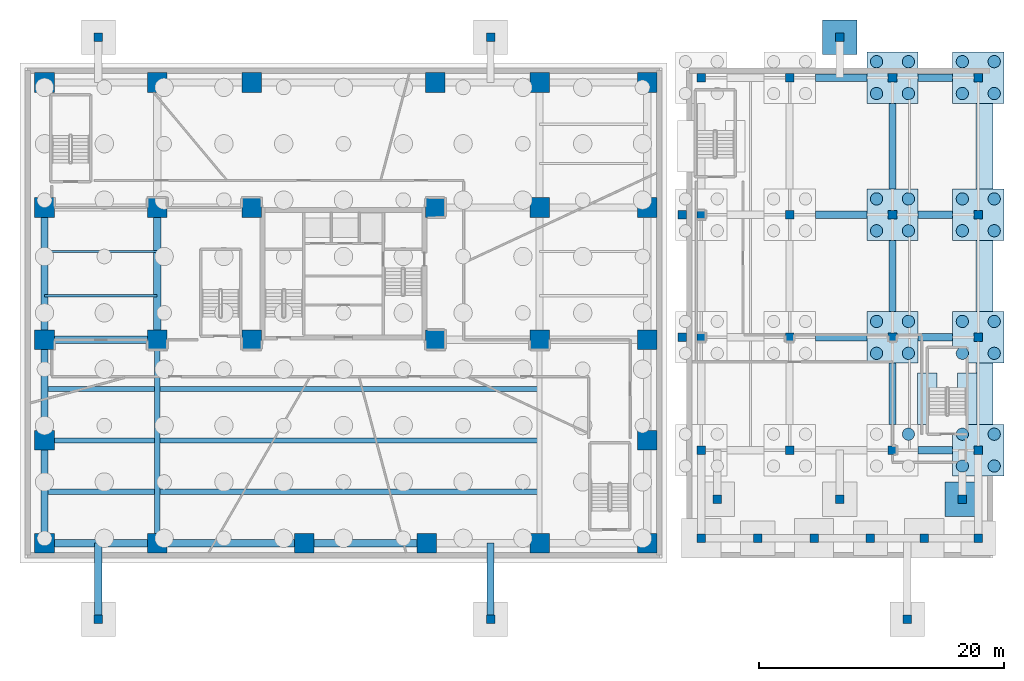
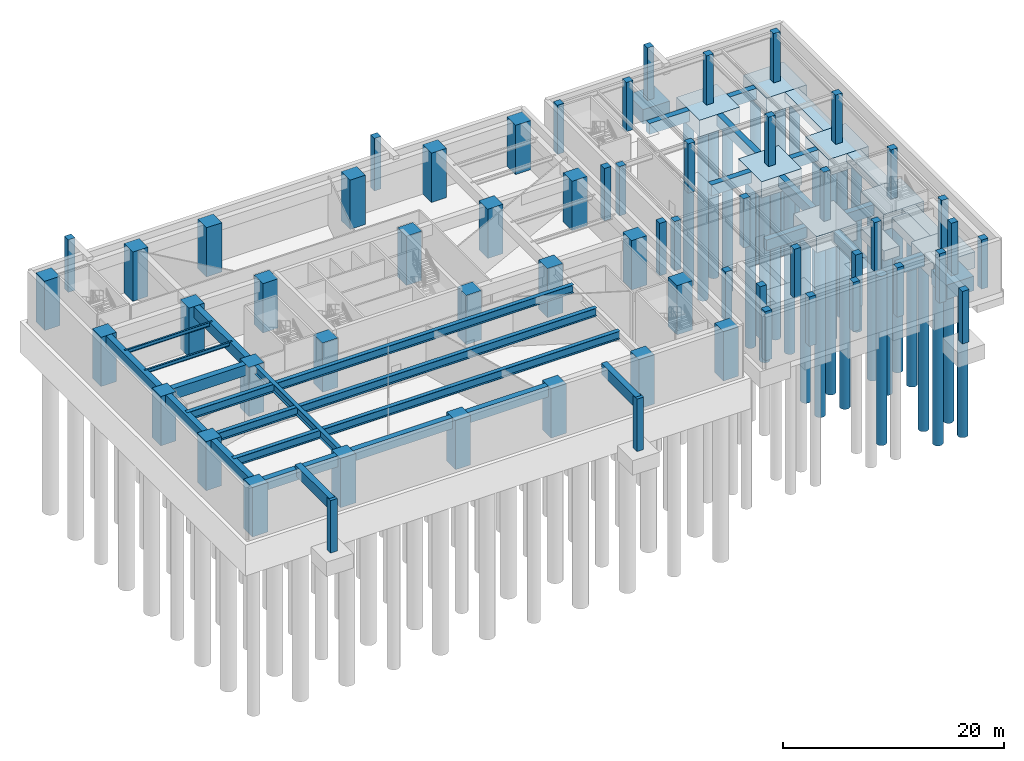
# One storey, part 2 of 15: 59 columns, 29 piles, 24 footings, 16 beams.
"""IFC4 building model written with IfcOpenShell, lengths in metres."""

from ifc_helpers import new_model, si_unit, direction, frame, origin, origin_2d, place, context, subcontext, project, spatial, rectangle, circle, i_section, extrude, source, transform, mapped, material, material_profile, profile_set, type_object, type_shapes, element, save


model = new_model("IFC4")

# Units and contexts
model_context = context("Model", 3, precision=1e-05, world=origin(), true_north=direction((0.0, 1.0)))
body_context = subcontext(model_context, "Body", "Model", "MODEL_VIEW")
ifc_project = project(units=[si_unit("LENGTHUNIT", "METRE"), si_unit("AREAUNIT", "SQUARE_METRE"), si_unit("VOLUMEUNIT", "CUBIC_METRE"), si_unit("PLANEANGLEUNIT", "RADIAN"), si_unit("MASSUNIT", "GRAM", prefix="KILO")], contexts=[model_context])

# Site, building, storey
site_placement = place(None, origin())
site = spatial("IfcSite", under=ifc_project, at=site_placement, CompositionType="ELEMENT")
building_placement = place(site_placement, origin())
building = spatial("IfcBuilding", under=site, at=building_placement, Name="Talar Marvaseh", CompositionType="ELEMENT")
storey_placement = place(building_placement, frame((0.0, 0.0, -11.60009765625)))
storey = spatial("IfcBuildingStorey", under=building, at=storey_placement, Name="B02", CompositionType="ELEMENT", Elevation=-11.60009765625)

# Footings
ifc_material_1 = material(Name="Concrete C50/60", Category="concrete")
footing_type_1 = type_object("IfcFootingType", Name="Market Hall Four-Pile Cap 1800", PredefinedType="PILE_CAP", material=ifc_material_1)
shared_shape_1 = source(origin(), body_context, "Body", "SweptSolid", [
    extrude(rectangle(XDim=4.199951171875, YDim=4.199951171875, at=origin_2d()), origin(), (0.0, 0.0, 1.0), 1.800048828125),
])
type_shapes(footing_type_1, [shared_shape_1])
for number, where, z_axis, x_axis, name in (
    (1, (70.800048828125, 26.0, -1.7998046875), (0.0, 0.0, 1.0), (1.0, 0.0, 0.0), "B02 Market Hall Pile Cap 3-2"),
    (2, (70.800048828125, 36.0, -1.7998046875), (0.0, 0.0, 1.0), (1.0, 0.0, 0.0), "B02 Market Hall Pile Cap 3-3"),
    (3, (70.800048828125, 47.199951171875, -1.7998046875), (0.0, 0.0, 1.0), (1.0, 0.0, 0.0), "B02 Market Hall Pile Cap 3-4"),
    (4, (77.800048828125, 16.800048828125, -1.7998046875), (0.0, 0.0, 1.0), (1.0, 0.0, 0.0), "B02 Market Hall Pile Cap 4-1"),
    (5, (77.800048828125, 26.0, -1.7998046875), (0.0, 0.0, 1.0), (1.0, 0.0, 0.0), "B02 Market Hall Pile Cap 4-2"),
    (6, (77.800048828125, 36.0, -1.7998046875), (0.0, 0.0, 1.0), (1.0, 0.0, 0.0), "B02 Market Hall Pile Cap 4-3"),
    (7, (77.800048828125, 47.199951171875, -1.7998046875), (0.0, 0.0, 1.0), (1.0, 0.0, 0.0), "B02 Market Hall Pile Cap 4-4"),
):
    element("IfcFooting", number, at=place(storey_placement, frame(where, z_axis=z_axis, x_axis=x_axis)), inside=storey, type_object=footing_type_1, Name=name, PredefinedType="PILE_CAP", context=body_context, shape_type="MappedRepresentation", body=[
        mapped(shared_shape_1, transform((0.0, 0.0, 0.0), x_axis=(1.0, 0.0, 0.0), y_axis=(0.0, 1.0, 0.0), z_axis=(0.0, 0.0, 1.0), scale=1.0)),
    ])

# Piles
ifc_material_profile_1 = material_profile(ifc_material_1, circle(Radius=0.5, at=origin_2d()), Name="PILE-D1000")
ifc_profile_set_1 = profile_set([ifc_material_profile_1], Name="Concrete C50/60")
pile_type = type_object("IfcPileType", Name="Rotary Bored Rock-Socketed Pile D1000", PredefinedType="BORED", material=ifc_profile_set_1)
shared_shape_2 = source(origin(), body_context, "Body", "SweptSolid", [
    extrude(circle(Radius=0.5, at=origin_2d()), origin(), (0.0, 0.0, 1.0), 18.699951171875),
])
type_shapes(pile_type, [shared_shape_2])
for number, where, z_axis, x_axis, name in (
    (8, (72.10009765625, 18.10009765625, -1.699951171875), (0.0, 0.0, -1.0), (1.0, 0.0, 0.0), "B02 Market Pile 3-1"),
    (9, (69.5, 24.699951171875, -1.699951171875), (0.0, 0.0, -1.0), (1.0, 0.0, 0.0), "B02 Market Pile 3-2"),
    (10, (69.5, 27.300048828125, -1.699951171875), (0.0, 0.0, -1.0), (1.0, 0.0, 0.0), "B02 Market Pile 3-2"),
    (11, (72.10009765625, 24.699951171875, -1.699951171875), (0.0, 0.0, -1.0), (1.0, 0.0, 0.0), "B02 Market Pile 3-2"),
    (12, (72.10009765625, 27.300048828125, -1.699951171875), (0.0, 0.0, -1.0), (1.0, 0.0, 0.0), "B02 Market Pile 3-2"),
    (13, (69.5, 34.699951171875, -1.699951171875), (0.0, 0.0, -1.0), (1.0, 0.0, 0.0), "B02 Market Pile 3-3"),
    (14, (69.5, 37.300048828125, -1.699951171875), (0.0, 0.0, -1.0), (1.0, 0.0, 0.0), "B02 Market Pile 3-3"),
    (15, (72.10009765625, 34.699951171875, -1.699951171875), (0.0, 0.0, -1.0), (1.0, 0.0, 0.0), "B02 Market Pile 3-3"),
    (16, (72.10009765625, 37.300048828125, -1.699951171875), (0.0, 0.0, -1.0), (1.0, 0.0, 0.0), "B02 Market Pile 3-3"),
    (17, (69.5, 45.89990234375, -1.699951171875), (0.0, 0.0, -1.0), (1.0, 0.0, 0.0), "B02 Market Pile 3-4"),
    (18, (69.5, 48.5, -1.699951171875), (0.0, 0.0, -1.0), (1.0, 0.0, 0.0), "B02 Market Pile 3-4"),
    (19, (72.10009765625, 45.89990234375, -1.699951171875), (0.0, 0.0, -1.0), (1.0, 0.0, 0.0), "B02 Market Pile 3-4"),
    (20, (72.10009765625, 48.5, -1.699951171875), (0.0, 0.0, -1.0), (1.0, 0.0, 0.0), "B02 Market Pile 3-4"),
    (21, (76.5, 15.5, -1.699951171875), (0.0, 0.0, -1.0), (1.0, 0.0, 0.0), "B02 Market Pile 4-1"),
    (22, (76.5, 18.10009765625, -1.699951171875), (0.0, 0.0, -1.0), (1.0, 0.0, 0.0), "B02 Market Pile 4-1"),
    (23, (79.10009765625, 15.5, -1.699951171875), (0.0, 0.0, -1.0), (1.0, 0.0, 0.0), "B02 Market Pile 4-1"),
    (24, (79.10009765625, 18.10009765625, -1.699951171875), (0.0, 0.0, -1.0), (1.0, 0.0, 0.0), "B02 Market Pile 4-1"),
    (25, (76.5, 24.699951171875, -1.699951171875), (0.0, 0.0, -1.0), (1.0, 0.0, 0.0), "B02 Market Pile 4-2"),
    (26, (76.5, 27.300048828125, -1.699951171875), (0.0, 0.0, -1.0), (1.0, 0.0, 0.0), "B02 Market Pile 4-2"),
    (27, (79.10009765625, 24.699951171875, -1.699951171875), (0.0, 0.0, -1.0), (1.0, 0.0, 0.0), "B02 Market Pile 4-2"),
    (28, (79.10009765625, 27.300048828125, -1.699951171875), (0.0, 0.0, -1.0), (1.0, 0.0, 0.0), "B02 Market Pile 4-2"),
    (29, (76.5, 34.699951171875, -1.699951171875), (0.0, 0.0, -1.0), (1.0, 0.0, 0.0), "B02 Market Pile 4-3"),
    (30, (76.5, 37.300048828125, -1.699951171875), (0.0, 0.0, -1.0), (1.0, 0.0, 0.0), "B02 Market Pile 4-3"),
    (31, (79.10009765625, 34.699951171875, -1.699951171875), (0.0, 0.0, -1.0), (1.0, 0.0, 0.0), "B02 Market Pile 4-3"),
    (32, (79.10009765625, 37.300048828125, -1.699951171875), (0.0, 0.0, -1.0), (1.0, 0.0, 0.0), "B02 Market Pile 4-3"),
    (33, (76.5, 45.89990234375, -1.699951171875), (0.0, 0.0, -1.0), (1.0, 0.0, 0.0), "B02 Market Pile 4-4"),
    (34, (76.5, 48.5, -1.699951171875), (0.0, 0.0, -1.0), (1.0, 0.0, 0.0), "B02 Market Pile 4-4"),
    (35, (79.10009765625, 45.89990234375, -1.699951171875), (0.0, 0.0, -1.0), (1.0, 0.0, 0.0), "B02 Market Pile 4-4"),
    (36, (79.10009765625, 48.5, -1.699951171875), (0.0, 0.0, -1.0), (1.0, 0.0, 0.0), "B02 Market Pile 4-4"),
):
    element("IfcPile", number, at=place(storey_placement, frame(where, z_axis=z_axis, x_axis=x_axis)), inside=storey, type_object=pile_type, Name=name, PredefinedType="BORED", context=body_context, shape_type="MappedRepresentation", body=[
        mapped(shared_shape_2, transform((0.0, 0.0, 0.0), x_axis=(1.0, 0.0, 0.0), y_axis=(0.0, 1.0, 0.0), z_axis=(0.0, 0.0, 1.0), scale=1.0)),
    ])

# Footings
footing_type_2 = type_object("IfcFootingType", Name="Substructure Edge Pad Footing 1600", PredefinedType="PAD_FOOTING", material=ifc_material_1)
shared_shape_3 = source(origin(), body_context, "Body", "SweptSolid", [
    extrude(rectangle(XDim=2.800048828125, YDim=2.800048828125, at=origin_2d()), origin(), (0.0, 0.0, 1.0), 1.60009765625),
])
type_shapes(footing_type_2, [shared_shape_3])
for number, where, z_axis, x_axis, name in (
    (37, (66.5, 50.5, -1.599853515625), (0.0, 0.0, 1.0), (1.0, 0.0, 0.0), "B02 Plaza Perimeter Pad Footing 6"),
    (38, (76.5, 12.800048828125, -1.599853515625), (0.0, 0.0, 1.0), (1.0, 0.0, 0.0), "B02 Plaza Perimeter Pad Footing 9"),
):
    element("IfcFooting", number, at=place(storey_placement, frame(where, z_axis=z_axis, x_axis=x_axis)), inside=storey, type_object=footing_type_2, Name=name, PredefinedType="PAD_FOOTING", context=body_context, shape_type="MappedRepresentation", body=[
        mapped(shared_shape_3, transform((0.0, 0.0, 0.0), x_axis=(1.0, 0.0, 0.0), y_axis=(0.0, 1.0, 0.0), z_axis=(0.0, 0.0, 1.0), scale=1.0)),
    ])
ifc_material_profile_2 = material_profile(ifc_material_1, rectangle(XDim=0.60009765625, YDim=1.199951171875, at=origin_2d()), Name="RC600x1200")
ifc_profile_set_2 = profile_set([ifc_material_profile_2], Name="Concrete C50/60")
footing_type_3 = type_object("IfcFootingType", Name="Reinforced Concrete Ground Tie Beam 600x1200", PredefinedType="FOOTING_BEAM", material=ifc_profile_set_2)
shared_shape_4 = source(origin(), body_context, "Body", "SweptSolid", [
    extrude(rectangle(XDim=0.60009765625, YDim=1.199951171875, at=origin_2d()), origin(), (0.0, 0.0, 1.0), 4.199951171875),
])
for number, where, z_axis, x_axis, name in (
    (39, (64.5, 26.0, -0.599853515625), (1.0, 0.0, 0.0), (0.0, 1.0, 0.0), "B02 Market Ground Tie Beam X"),
    (40, (64.5, 36.0, -0.599853515625), (1.0, 0.0, 0.0), (0.0, 1.0, 0.0), "B02 Market Ground Tie Beam X"),
    (41, (64.5, 47.199951171875, -0.599853515625), (1.0, 0.0, 0.0), (0.0, 1.0, 0.0), "B02 Market Ground Tie Beam X"),
):
    element("IfcFooting", number, at=place(storey_placement, frame(where, z_axis=z_axis, x_axis=x_axis)), inside=storey, type_object=footing_type_3, Name=name, PredefinedType="FOOTING_BEAM", context=body_context, shape_type="MappedRepresentation", body=[
        mapped(shared_shape_4, transform((0.0, 0.0, 0.0), x_axis=(1.0, 0.0, 0.0), y_axis=(0.0, 1.0, 0.0), z_axis=(0.0, 0.0, 1.0), scale=1.0)),
    ])
shared_shape_5 = source(origin(), body_context, "Body", "SweptSolid", [
    extrude(rectangle(XDim=0.60009765625, YDim=1.199951171875, at=origin_2d()), origin(), (0.0, 0.0, 1.0), 2.800048828125),
])
for number, where, z_axis, x_axis, name in (
    (42, (72.89990234375, 16.800048828125, -0.599853515625), (1.0, 0.0, 0.0), (0.0, 1.0, 0.0), "B02 Market Ground Tie Beam X"),
    (43, (72.89990234375, 26.0, -0.599853515625), (1.0, 0.0, 0.0), (0.0, 1.0, 0.0), "B02 Market Ground Tie Beam X"),
    (44, (72.89990234375, 36.0, -0.599853515625), (1.0, 0.0, 0.0), (0.0, 1.0, 0.0), "B02 Market Ground Tie Beam X"),
    (45, (72.89990234375, 47.199951171875, -0.599853515625), (1.0, 0.0, 0.0), (0.0, 1.0, 0.0), "B02 Market Ground Tie Beam X"),
):
    element("IfcFooting", number, at=place(storey_placement, frame(where, z_axis=z_axis, x_axis=x_axis)), inside=storey, type_object=footing_type_3, Name=name, PredefinedType="FOOTING_BEAM", context=body_context, shape_type="MappedRepresentation", body=[
        mapped(shared_shape_5, transform((0.0, 0.0, 0.0), x_axis=(1.0, 0.0, 0.0), y_axis=(0.0, 1.0, 0.0), z_axis=(0.0, 0.0, 1.0), scale=1.0)),
    ])
shared_shape_6 = source(origin(), body_context, "Body", "SweptSolid", [
    extrude(rectangle(XDim=0.60009765625, YDim=1.199951171875, at=origin_2d()), origin(), (0.0, 0.0, 1.0), 5.0),
])
footing_1_placement = place(storey_placement, frame((70.800048828125, 18.89990234375, -0.599853515625), z_axis=(0.0, 1.0, 0.0), x_axis=(-1.0, 0.0, 0.0)))
element("IfcFooting", 46, at=footing_1_placement, inside=storey, type_object=footing_type_3, Name="B02 Market Ground Tie Beam Y", PredefinedType="FOOTING_BEAM", context=body_context, shape_type="MappedRepresentation", body=[
    mapped(shared_shape_6, transform((0.0, 0.0, 0.0), x_axis=(1.0, 0.0, 0.0), y_axis=(0.0, 1.0, 0.0), z_axis=(0.0, 0.0, 1.0), scale=1.0)),
])
shared_shape_7 = source(origin(), body_context, "Body", "SweptSolid", [
    extrude(rectangle(XDim=0.60009765625, YDim=1.199951171875, at=origin_2d()), origin(), (0.0, 0.0, 1.0), 5.7998046875),
])
footing_2_placement = place(storey_placement, frame((70.800048828125, 28.10009765625, -0.599853515625), z_axis=(0.0, 1.0, 0.0), x_axis=(-1.0, 0.0, 0.0)))
element("IfcFooting", 47, at=footing_2_placement, inside=storey, type_object=footing_type_3, Name="B02 Market Ground Tie Beam Y", PredefinedType="FOOTING_BEAM", context=body_context, shape_type="MappedRepresentation", body=[
    mapped(shared_shape_7, transform((0.0, 0.0, 0.0), x_axis=(1.0, 0.0, 0.0), y_axis=(0.0, 1.0, 0.0), z_axis=(0.0, 0.0, 1.0), scale=1.0)),
])
shared_shape_8 = source(origin(), body_context, "Body", "SweptSolid", [
    extrude(rectangle(XDim=0.60009765625, YDim=1.199951171875, at=origin_2d()), origin(), (0.0, 0.0, 1.0), 7.0),
])
type_shapes(footing_type_3, [shared_shape_4, shared_shape_5, shared_shape_6, shared_shape_7, shared_shape_8])
footing_3_placement = place(storey_placement, frame((70.800048828125, 38.10009765625, -0.599853515625), z_axis=(0.0, 1.0, 0.0), x_axis=(-1.0, 0.0, 0.0)))
element("IfcFooting", 48, at=footing_3_placement, inside=storey, type_object=footing_type_3, Name="B02 Market Ground Tie Beam Y", PredefinedType="FOOTING_BEAM", context=body_context, shape_type="MappedRepresentation", body=[
    mapped(shared_shape_8, transform((0.0, 0.0, 0.0), x_axis=(1.0, 0.0, 0.0), y_axis=(0.0, 1.0, 0.0), z_axis=(0.0, 0.0, 1.0), scale=1.0)),
])
footing_type_4 = type_object("IfcFootingType", Name="Basement Retaining Wall Strip Footing 900", PredefinedType="STRIP_FOOTING", material=ifc_material_1)
shared_shape_9 = source(origin(), body_context, "Body", "SweptSolid", [
    extrude(rectangle(XDim=5.0, YDim=1.39990234375, at=origin_2d()), origin(), (0.0, 0.0, 1.0), 0.89990234375),
])
footing_4_placement = place(storey_placement, frame((78.300048828125, 21.39990234375, -0.89990234375), z_axis=(0.0, 0.0, 1.0), x_axis=(0.0, 1.0, 0.0)))
element("IfcFooting", 49, at=footing_4_placement, inside=storey, type_object=footing_type_4, Name="B02 East Retaining Strip Footing 1", PredefinedType="STRIP_FOOTING", context=body_context, shape_type="MappedRepresentation", body=[
    mapped(shared_shape_9, transform((0.0, 0.0, 0.0), x_axis=(1.0, 0.0, 0.0), y_axis=(0.0, 1.0, 0.0), z_axis=(0.0, 0.0, 1.0), scale=1.0)),
])
shared_shape_10 = source(origin(), body_context, "Body", "SweptSolid", [
    extrude(rectangle(XDim=5.800048828125, YDim=1.39990234375, at=origin_2d()), origin(), (0.0, 0.0, 1.0), 0.89990234375),
])
footing_5_placement = place(storey_placement, frame((78.300048828125, 31.0, -0.89990234375), z_axis=(0.0, 0.0, 1.0), x_axis=(0.0, 1.0, 0.0)))
element("IfcFooting", 50, at=footing_5_placement, inside=storey, type_object=footing_type_4, Name="B02 East Retaining Strip Footing 2", PredefinedType="STRIP_FOOTING", context=body_context, shape_type="MappedRepresentation", body=[
    mapped(shared_shape_10, transform((0.0, 0.0, 0.0), x_axis=(1.0, 0.0, 0.0), y_axis=(0.0, 1.0, 0.0), z_axis=(0.0, 0.0, 1.0), scale=1.0)),
])
shared_shape_11 = source(origin(), body_context, "Body", "SweptSolid", [
    extrude(rectangle(XDim=7.0, YDim=1.39990234375, at=origin_2d()), origin(), (0.0, 0.0, 1.0), 0.89990234375),
])
type_shapes(footing_type_4, [shared_shape_9, shared_shape_10, shared_shape_11])
footing_6_placement = place(storey_placement, frame((78.300048828125, 41.60009765625, -0.89990234375), z_axis=(0.0, 0.0, 1.0), x_axis=(0.0, 1.0, 0.0)))
element("IfcFooting", 51, at=footing_6_placement, inside=storey, type_object=footing_type_4, Name="B02 East Retaining Strip Footing 3", PredefinedType="STRIP_FOOTING", context=body_context, shape_type="MappedRepresentation", body=[
    mapped(shared_shape_11, transform((0.0, 0.0, 0.0), x_axis=(1.0, 0.0, 0.0), y_axis=(0.0, 1.0, 0.0), z_axis=(0.0, 0.0, 1.0), scale=1.0)),
])
footing_type_5 = type_object("IfcFootingType", Name="Stair Core Shear Wall Strip Footing 1100", PredefinedType="STRIP_FOOTING", material=ifc_material_1)
shared_shape_12 = source(origin(), body_context, "Body", "SweptSolid", [
    extrude(rectangle(XDim=4.199951171875, YDim=1.60009765625, at=origin_2d()), origin(), (0.0, 0.0, 1.0), 1.10009765625),
])
type_shapes(footing_type_5, [shared_shape_12])
for number, where, z_axis, x_axis, name in (
    (52, (73.639892578125, 21.0, -1.099853515625), (0.0, 0.0, 1.0), (0.0, 1.0, 0.0), "B02 Market Stair Core Strip Footing 3"),
    (53, (76.89990234375, 21.0, -1.099853515625), (0.0, 0.0, 1.0), (0.0, 1.0, 0.0), "B02 Market Stair Core Strip Footing 4"),
):
    element("IfcFooting", number, at=place(storey_placement, frame(where, z_axis=z_axis, x_axis=x_axis)), inside=storey, type_object=footing_type_5, Name=name, PredefinedType="STRIP_FOOTING", context=body_context, shape_type="MappedRepresentation", body=[
        mapped(shared_shape_12, transform((0.0, 0.0, 0.0), x_axis=(1.0, 0.0, 0.0), y_axis=(0.0, 1.0, 0.0), z_axis=(0.0, 0.0, 1.0), scale=1.0)),
    ])

# Columns
ifc_material_2 = material(Name="Concrete C40/50", Category="concrete")
ifc_material_profile_3 = material_profile(ifc_material_2, rectangle(XDim=0.699951171875, YDim=0.699951171875, at=origin_2d()), Name="RC700x700")
ifc_profile_set_3 = profile_set([ifc_material_profile_3], Name="Concrete C40/50")
column_type_1 = type_object("IfcColumnType", Name="Market Hall Column RC700x700", PredefinedType="COLUMN", material=ifc_profile_set_3)
for number, where, z_axis, x_axis, name in (
    (54, (6.0, 3.0, 0.0), (0.0, 0.0, 1.0), (1.0, 0.0, 0.0), "B02 Plaza Support Pier 1"),
    (55, (38.0, 3.0, 0.0), (0.0, 0.0, 1.0), (1.0, 0.0, 0.0), "B02 Plaza Support Pier 2"),
    (56, (72.0, 3.0, 0.0), (0.0, 0.0, 1.0), (1.0, 0.0, 0.0), "B02 Plaza Support Pier 3"),
    (57, (6.0, 50.5, 0.0), (0.0, 0.0, 1.0), (1.0, 0.0, 0.0), "B02 Plaza Support Pier 4"),
    (58, (38.0, 50.5, 0.0), (0.0, 0.0, 1.0), (1.0, 0.0, 0.0), "B02 Plaza Support Pier 5"),
    (59, (66.5, 50.5, 0.0), (0.0, 0.0, 1.0), (1.0, 0.0, 0.0), "B02 Plaza Support Pier 6"),
    (60, (56.5, 12.800048828125, 0.0), (0.0, 0.0, 1.0), (1.0, 0.0, 0.0), "B02 Plaza Support Pier 7"),
    (61, (66.5, 12.800048828125, 0.0), (0.0, 0.0, 1.0), (1.0, 0.0, 0.0), "B02 Plaza Support Pier 8"),
    (62, (76.5, 12.800048828125, 0.0), (0.0, 0.0, 1.0), (1.0, 0.0, 0.0), "B02 Plaza Support Pier 9"),
):
    element("IfcColumn", number, at=place(storey_placement, frame(where, z_axis=z_axis, x_axis=x_axis)), inside=storey, type_object=column_type_1, Name=name, PredefinedType="COLUMN", context=body_context, shape_type="SweptSolid", body=[
        extrude(rectangle(XDim=0.699951171875, YDim=0.699951171875, at=origin_2d()), origin(), (0.0, 0.0, 1.0), 5.800048828125),
    ])
for number, where, z_axis, x_axis, name in (
    (63, (55.199951171875, 16.800048828125, 0.0), (0.0, 0.0, 1.0), (1.0, 0.0, 0.0), "B02 Market Hall Column RC700x700"),
    (64, (55.199951171875, 26.0, 0.0), (0.0, 0.0, 1.0), (1.0, 0.0, 0.0), "B02 Market Hall Column RC700x700"),
    (65, (55.199951171875, 36.0, 0.0), (0.0, 0.0, 1.0), (1.0, 0.0, 0.0), "B02 Market Hall Column RC700x700"),
    (66, (55.199951171875, 47.199951171875, 0.0), (0.0, 0.0, 1.0), (1.0, 0.0, 0.0), "B02 Market Hall Column RC700x700"),
    (67, (62.39990234375, 16.800048828125, 0.0), (0.0, 0.0, 1.0), (1.0, 0.0, 0.0), "B02 Market Hall Column RC700x700"),
    (68, (62.39990234375, 26.0, 0.0), (0.0, 0.0, 1.0), (1.0, 0.0, 0.0), "B02 Market Hall Column RC700x700"),
    (69, (62.39990234375, 36.0, 0.0), (0.0, 0.0, 1.0), (1.0, 0.0, 0.0), "B02 Market Hall Column RC700x700"),
    (70, (62.39990234375, 47.199951171875, 0.0), (0.0, 0.0, 1.0), (1.0, 0.0, 0.0), "B02 Market Hall Column RC700x700"),
    (71, (70.800048828125, 16.800048828125, 0.0), (0.0, 0.0, 1.0), (1.0, 0.0, 0.0), "B02 Market Hall Column RC700x700"),
    (72, (70.800048828125, 26.0, 0.0), (0.0, 0.0, 1.0), (1.0, 0.0, 0.0), "B02 Market Hall Column RC700x700"),
    (73, (70.800048828125, 36.0, 0.0), (0.0, 0.0, 1.0), (1.0, 0.0, 0.0), "B02 Market Hall Column RC700x700"),
    (74, (70.800048828125, 47.199951171875, 0.0), (0.0, 0.0, 1.0), (1.0, 0.0, 0.0), "B02 Market Hall Column RC700x700"),
    (75, (77.800048828125, 16.800048828125, 0.0), (0.0, 0.0, 1.0), (1.0, 0.0, 0.0), "B02 Market Hall Column RC700x700"),
    (76, (77.800048828125, 26.0, 0.0), (0.0, 0.0, 1.0), (1.0, 0.0, 0.0), "B02 Market Hall Column RC700x700"),
    (77, (77.800048828125, 36.0, 0.0), (0.0, 0.0, 1.0), (1.0, 0.0, 0.0), "B02 Market Hall Column RC700x700"),
    (78, (77.800048828125, 47.199951171875, 0.0), (0.0, 0.0, 1.0), (1.0, 0.0, 0.0), "B02 Market Hall Column RC700x700"),
    (79, (55.199951171875, 9.60009765625, 0.0), (0.0, 0.0, 1.0), (1.0, 0.0, 0.0), "B02 Market Hall Column RC700x700"),
    (80, (59.800048828125, 9.60009765625, 0.0), (0.0, 0.0, 1.0), (1.0, 0.0, 0.0), "B02 Market Hall Column RC700x700"),
    (81, (64.39990234375, 9.60009765625, 0.0), (0.0, 0.0, 1.0), (1.0, 0.0, 0.0), "B02 Market Hall Column RC700x700"),
    (82, (69.0, 9.60009765625, 0.0), (0.0, 0.0, 1.0), (1.0, 0.0, 0.0), "B02 Market Hall Column RC700x700"),
    (83, (73.39990234375, 9.60009765625, 0.0), (0.0, 0.0, 1.0), (1.0, 0.0, 0.0), "B02 Market Hall Column RC700x700"),
    (84, (77.800048828125, 9.60009765625, 0.0), (0.0, 0.0, 1.0), (1.0, 0.0, 0.0), "B02 Market Hall Column RC700x700"),
):
    element("IfcColumn", number, at=place(storey_placement, frame(where, z_axis=z_axis, x_axis=x_axis)), inside=storey, type_object=column_type_1, Name=name, PredefinedType="COLUMN", context=body_context, shape_type="SweptSolid", body=[
        extrude(rectangle(XDim=0.699951171875, YDim=0.699951171875, at=origin_2d()), origin(), (0.0, 0.0, 1.0), 5.440185546875),
    ])
for number, where, z_axis, x_axis, name in (
    (85, (53.64990234375, 26.0, 0.0), (0.0, 0.0, 1.0), (1.0, 0.0, 0.0), "B02 Link Plaza Support Pier 1"),
    (86, (53.64990234375, 36.0, 0.0), (0.0, 0.0, 1.0), (1.0, 0.0, 0.0), "B02 Link Plaza Support Pier 2"),
):
    element("IfcColumn", number, at=place(storey_placement, frame(where, z_axis=z_axis, x_axis=x_axis)), inside=storey, type_object=column_type_1, Name=name, PredefinedType="COLUMN", context=body_context, shape_type="SweptSolid", body=[
        extrude(rectangle(XDim=0.699951171875, YDim=0.699951171875, at=origin_2d()), origin(), (0.0, 0.0, 1.0), 5.800048828125),
    ])
ifc_material_3 = material(Name="Concrete C70/85", Category="concrete")
ifc_material_profile_4 = material_profile(ifc_material_3, rectangle(XDim=1.60009765625, YDim=1.60009765625, at=origin_2d()), Name="RC1600x1600")
ifc_profile_set_4 = profile_set([ifc_material_profile_4], Name="Concrete C70/85")
column_type_2 = type_object("IfcColumnType", Name="Tower Mega Column RC1600x1600", PredefinedType="COLUMN", material=ifc_profile_set_4)
for number, where, z_axis, x_axis, name in (
    (87, (1.60009765625, 9.199951171875, 0.0), (0.0, 0.0, 1.0), (1.0, 0.0, 0.0), "B02 Tower Mega Column RC1600x1600"),
    (88, (1.60009765625, 17.60009765625, 0.0), (0.0, 0.0, 1.0), (1.0, 0.0, 0.0), "B02 Tower Mega Column RC1600x1600"),
    (89, (1.60009765625, 25.800048828125, 0.0), (0.0, 0.0, 1.0), (1.0, 0.0, 0.0), "B02 Tower Mega Column RC1600x1600"),
    (90, (1.60009765625, 36.60009765625, 0.0), (0.0, 0.0, 1.0), (1.0, 0.0, 0.0), "B02 Tower Mega Column RC1600x1600"),
    (91, (1.60009765625, 46.800048828125, 0.0), (0.0, 0.0, 1.0), (1.0, 0.0, 0.0), "B02 Tower Mega Column RC1600x1600"),
    (92, (50.800048828125, 9.199951171875, 0.0), (0.0, 0.0, 1.0), (1.0, 0.0, 0.0), "B02 Tower Mega Column RC1600x1600"),
    (93, (50.800048828125, 17.60009765625, 0.0), (0.0, 0.0, 1.0), (1.0, 0.0, 0.0), "B02 Tower Mega Column RC1600x1600"),
    (94, (50.800048828125, 25.800048828125, 0.0), (0.0, 0.0, 1.0), (1.0, 0.0, 0.0), "B02 Tower Mega Column RC1600x1600"),
    (95, (50.800048828125, 36.60009765625, 0.0), (0.0, 0.0, 1.0), (1.0, 0.0, 0.0), "B02 Tower Mega Column RC1600x1600"),
    (96, (50.800048828125, 46.800048828125, 0.0), (0.0, 0.0, 1.0), (1.0, 0.0, 0.0), "B02 Tower Mega Column RC1600x1600"),
    (97, (10.800048828125, 9.199951171875, 0.0), (0.0, 0.0, 1.0), (1.0, 0.0, 0.0), "B02 Tower Mega Column RC1600x1600"),
    (98, (22.800048828125, 9.199951171875, 0.0), (0.0, 0.0, 1.0), (1.0, 0.0, 0.0), "B02 Tower Mega Column RC1600x1600"),
    (99, (32.800048828125, 9.199951171875, 0.0), (0.0, 0.0, 1.0), (1.0, 0.0, 0.0), "B02 Tower Mega Column RC1600x1600"),
    (100, (42.0, 9.199951171875, 0.0), (0.0, 0.0, 1.0), (1.0, 0.0, 0.0), "B02 Tower Mega Column RC1600x1600"),
    (101, (10.800048828125, 46.800048828125, 0.0), (0.0, 0.0, 1.0), (1.0, 0.0, 0.0), "B02 Tower Mega Column RC1600x1600"),
    (102, (18.5, 46.800048828125, 0.0), (0.0, 0.0, 1.0), (1.0, 0.0, 0.0), "B02 Tower Mega Column RC1600x1600"),
    (103, (33.5, 46.800048828125, 0.0), (0.0, 0.0, 1.0), (1.0, 0.0, 0.0), "B02 Tower Mega Column RC1600x1600"),
    (104, (42.0, 46.800048828125, 0.0), (0.0, 0.0, 1.0), (1.0, 0.0, 0.0), "B02 Tower Mega Column RC1600x1600"),
    (105, (10.800048828125, 25.800048828125, 0.0), (0.0, 0.0, 1.0), (1.0, 0.0, 0.0), "B02 Tower Mega Column RC1600x1600"),
    (106, (10.800048828125, 36.60009765625, 0.0), (0.0, 0.0, 1.0), (1.0, 0.0, 0.0), "B02 Tower Mega Column RC1600x1600"),
    (107, (18.5, 25.800048828125, 0.0), (0.0, 0.0, 1.0), (1.0, 0.0, 0.0), "B02 Tower Mega Column RC1600x1600"),
    (108, (18.5, 36.60009765625, 0.0), (0.0, 0.0, 1.0), (1.0, 0.0, 0.0), "B02 Tower Mega Column RC1600x1600"),
    (109, (33.5, 25.800048828125, 0.0), (0.0, 0.0, 1.0), (1.0, 0.0, 0.0), "B02 Tower Mega Column RC1600x1600"),
    (110, (33.5, 36.60009765625, 0.0), (0.0, 0.0, 1.0), (1.0, 0.0, 0.0), "B02 Tower Mega Column RC1600x1600"),
    (111, (42.0, 25.800048828125, 0.0), (0.0, 0.0, 1.0), (1.0, 0.0, 0.0), "B02 Tower Mega Column RC1600x1600"),
    (112, (42.0, 36.60009765625, 0.0), (0.0, 0.0, 1.0), (1.0, 0.0, 0.0), "B02 Tower Mega Column RC1600x1600"),
):
    element("IfcColumn", number, at=place(storey_placement, frame(where, z_axis=z_axis, x_axis=x_axis)), inside=storey, type_object=column_type_2, Name=name, PredefinedType="COLUMN", context=body_context, shape_type="SweptSolid", body=[
        extrude(rectangle(XDim=1.60009765625, YDim=1.60009765625, at=origin_2d()), origin(), (0.0, 0.0, 1.0), 5.440185546875),
    ])

# Beams
ifc_material_4 = material(Name="Steel S460", Category="steel")
ifc_material_profile_5 = material_profile(ifc_material_4, i_section(OverallWidth=0.41796875, OverallDepth=0.912109375, WebThickness=0.019287109375, FlangeThickness=0.031982421875, at=origin_2d()), Name="W920x342")
ifc_profile_set_5 = profile_set([ifc_material_profile_5], Name="Steel S460")
beam_type_1 = type_object("IfcBeamType", Name="Auditorium Long-Span Girder W920x342", PredefinedType="BEAM", material=ifc_profile_set_5)
beam_1_placement = place(storey_placement, frame((10.800048828125, 9.199951171875, 4.984130859375), z_axis=(0.0, 1.0, 0.0), x_axis=(-1.0, 0.0, 0.0)))
element("IfcBeam", 113, at=beam_1_placement, inside=storey, type_object=beam_type_1, Name="B02 Auditorium Long-Span Girder W920x342", PredefinedType="BEAM", context=body_context, shape_type="SweptSolid", body=[
    extrude(i_section(OverallWidth=0.41796875, OverallDepth=0.912109375, WebThickness=0.019287109375, FlangeThickness=0.031982421875, at=origin_2d()), origin(), (0.0, 0.0, 1.0), 16.60009765625),
])
for number, where, z_axis, x_axis, name in (
    (114, (1.60009765625, 13.39990234375, 4.984130859375), (1.0, 0.0, 0.0), (0.0, 1.0, 0.0), "B02 Auditorium Long-Span Girder W920x342"),
    (115, (1.60009765625, 17.60009765625, 4.984130859375), (1.0, 0.0, 0.0), (0.0, 1.0, 0.0), "B02 Auditorium Long-Span Girder W920x342"),
    (116, (1.60009765625, 21.800048828125, 4.984130859375), (1.0, 0.0, 0.0), (0.0, 1.0, 0.0), "B02 Auditorium Long-Span Girder W920x342"),
):
    element("IfcBeam", number, at=place(storey_placement, frame(where, z_axis=z_axis, x_axis=x_axis)), inside=storey, type_object=beam_type_1, Name=name, PredefinedType="BEAM", context=body_context, shape_type="SweptSolid", body=[
        extrude(i_section(OverallWidth=0.41796875, OverallDepth=0.912109375, WebThickness=0.019287109375, FlangeThickness=0.031982421875, at=origin_2d()), origin(), (0.0, 0.0, 1.0), 40.39990234375),
    ])
ifc_material_profile_6 = material_profile(ifc_material_1, rectangle(XDim=0.60009765625, YDim=1.199951171875, at=origin_2d()), Name="RC600x1200")
ifc_profile_set_6 = profile_set([ifc_material_profile_6], Name="Concrete C50/60")
beam_type_2 = type_object("IfcBeamType", Name="Substructure Concrete Frame Beam RC600x1200", PredefinedType="BEAM", material=ifc_profile_set_6)
beam_2_placement = place(storey_placement, frame((1.60009765625, 9.199951171875, 4.840087890625), z_axis=(1.0, 0.0, 0.0), x_axis=(0.0, 1.0, 0.0)))
element("IfcBeam", 117, at=beam_2_placement, inside=storey, type_object=beam_type_2, Name="B02 Substructure Concrete Frame Beam RC600x1200", PredefinedType="BEAM", context=body_context, shape_type="SweptSolid", body=[
    extrude(rectangle(XDim=0.60009765625, YDim=1.199951171875, at=origin_2d()), origin(), (0.0, 0.0, 1.0), 9.199951171875),
])
beam_3_placement = place(storey_placement, frame((10.800048828125, 9.199951171875, 4.840087890625), z_axis=(1.0, 0.0, 0.0), x_axis=(0.0, 1.0, 0.0)))
element("IfcBeam", 118, at=beam_3_placement, inside=storey, type_object=beam_type_2, Name="B02 Substructure Concrete Frame Beam RC600x1200", PredefinedType="BEAM", context=body_context, shape_type="SweptSolid", body=[
    extrude(rectangle(XDim=0.60009765625, YDim=1.199951171875, at=origin_2d()), origin(), (0.0, 0.0, 1.0), 12.0),
])
beam_4_placement = place(storey_placement, frame((22.800048828125, 9.199951171875, 4.840087890625), z_axis=(1.0, 0.0, 0.0), x_axis=(0.0, 1.0, 0.0)))
element("IfcBeam", 119, at=beam_4_placement, inside=storey, type_object=beam_type_2, Name="B02 Substructure Concrete Frame Beam RC600x1200", PredefinedType="BEAM", context=body_context, shape_type="SweptSolid", body=[
    extrude(rectangle(XDim=0.60009765625, YDim=1.199951171875, at=origin_2d()), origin(), (0.0, 0.0, 1.0), 10.0),
])
beam_5_placement = place(storey_placement, frame((1.60009765625, 25.800048828125, 4.840087890625), z_axis=(1.0, 0.0, 0.0), x_axis=(0.0, 1.0, 0.0)))
element("IfcBeam", 120, at=beam_5_placement, inside=storey, type_object=beam_type_2, Name="B02 Substructure Concrete Frame Beam RC600x1200", PredefinedType="BEAM", context=body_context, shape_type="SweptSolid", body=[
    extrude(rectangle(XDim=0.60009765625, YDim=1.199951171875, at=origin_2d()), origin(), (0.0, 0.0, 1.0), 9.199951171875),
])
beam_6_placement = place(storey_placement, frame((1.60009765625, 9.199951171875, 4.840087890625), z_axis=(0.0, 1.0, 0.0), x_axis=(-1.0, 0.0, 0.0)))
element("IfcBeam", 121, at=beam_6_placement, inside=storey, type_object=beam_type_2, Name="B02 Substructure Concrete Frame Beam RC600x1200", PredefinedType="BEAM", context=body_context, shape_type="SweptSolid", body=[
    extrude(rectangle(XDim=0.60009765625, YDim=1.199951171875, at=origin_2d()), origin(), (0.0, 0.0, 1.0), 8.400146484375),
])
beam_7_placement = place(storey_placement, frame((1.60009765625, 17.60009765625, 4.840087890625), z_axis=(0.0, 1.0, 0.0), x_axis=(-1.0, 0.0, 0.0)))
element("IfcBeam", 122, at=beam_7_placement, inside=storey, type_object=beam_type_2, Name="B02 Substructure Concrete Frame Beam RC600x1200", PredefinedType="BEAM", context=body_context, shape_type="SweptSolid", body=[
    extrude(rectangle(XDim=0.60009765625, YDim=1.199951171875, at=origin_2d()), origin(), (0.0, 0.0, 1.0), 8.199951171875),
])
for number, where, z_axis, x_axis, name in (
    (123, (1.60009765625, 25.800048828125, 4.840087890625), (0.0, 1.0, 0.0), (-1.0, 0.0, 0.0), "B02 Substructure Concrete Frame Beam RC600x1200"),
    (124, (10.800048828125, 25.800048828125, 4.840087890625), (0.0, 1.0, 0.0), (-1.0, 0.0, 0.0), "B02 Substructure Concrete Frame Beam RC600x1200"),
):
    element("IfcBeam", number, at=place(storey_placement, frame(where, z_axis=z_axis, x_axis=x_axis)), inside=storey, type_object=beam_type_2, Name=name, PredefinedType="BEAM", context=body_context, shape_type="SweptSolid", body=[
        extrude(rectangle(XDim=0.60009765625, YDim=1.199951171875, at=origin_2d()), origin(), (0.0, 0.0, 1.0), 10.800048828125),
    ])
for number, where, z_axis, x_axis, name in (
    (125, (6.0, 3.0, 5.2001953125), (0.0, 1.0, 0.0), (-1.0, 0.0, 0.0), "B02 Substructure Concrete Frame Beam RC600x1200"),
    (126, (38.0, 3.0, 5.2001953125), (0.0, 1.0, 0.0), (-1.0, 0.0, 0.0), "B02 Substructure Concrete Frame Beam RC600x1200"),
):
    element("IfcBeam", number, at=place(storey_placement, frame(where, z_axis=z_axis, x_axis=x_axis)), inside=storey, type_object=beam_type_2, Name=name, PredefinedType="BEAM", context=body_context, shape_type="SweptSolid", body=[
        extrude(rectangle(XDim=0.60009765625, YDim=1.199951171875, at=origin_2d()), origin(), (0.0, 0.0, 1.0), 6.199951171875),
    ])
ifc_material_5 = material(Name="Steel S355", Category="steel")
ifc_material_profile_7 = material_profile(ifc_material_5, i_section(OverallWidth=0.179931640625, OverallDepth=0.4130859375, WebThickness=0.009765625, FlangeThickness=0.01611328125, at=origin_2d()), Name="W410x75")
ifc_profile_set_7 = profile_set([ifc_material_profile_7], Name="Steel S355")
beam_type_3 = type_object("IfcBeamType", Name="Zone 1 Secondary Floor Joist W410x75", PredefinedType="JOIST", material=ifc_profile_set_7)
for number, where, z_axis, x_axis, name in (
    (127, (1.60009765625, 29.39990234375, 5.233642578125), (1.0, 0.0, 0.0), (0.0, 1.0, 0.0), "B02 Zone 1 Secondary Floor Joist W410x75"),
    (128, (1.60009765625, 33.0, 5.233642578125), (1.0, 0.0, 0.0), (0.0, 1.0, 0.0), "B02 Zone 1 Secondary Floor Joist W410x75"),
):
    element("IfcBeam", number, at=place(storey_placement, frame(where, z_axis=z_axis, x_axis=x_axis)), inside=storey, type_object=beam_type_3, Name=name, PredefinedType="JOIST", context=body_context, shape_type="SweptSolid", body=[
        extrude(i_section(OverallWidth=0.179931640625, OverallDepth=0.4130859375, WebThickness=0.009765625, FlangeThickness=0.01611328125, at=origin_2d()), origin(), (0.0, 0.0, 1.0), 9.199951171875),
    ])

save(model, "model.ifc")
